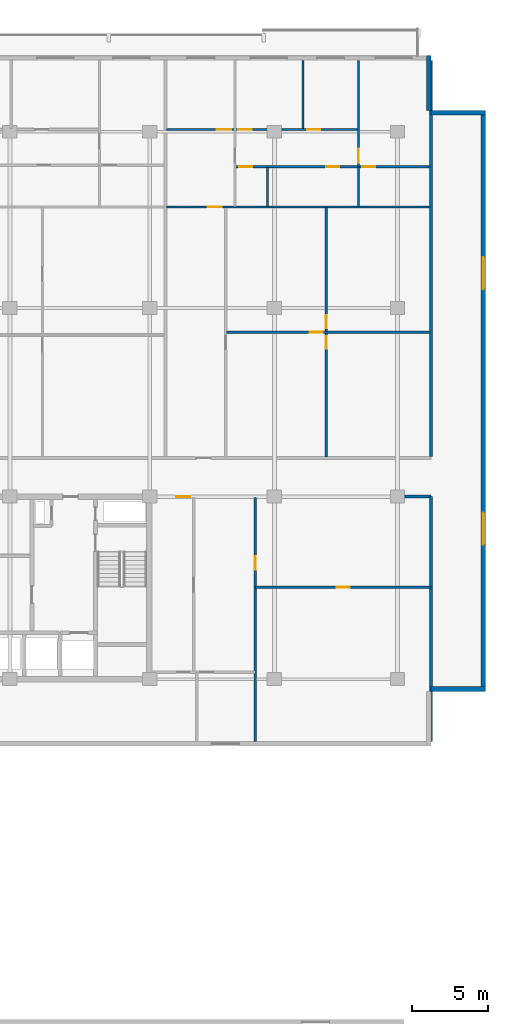
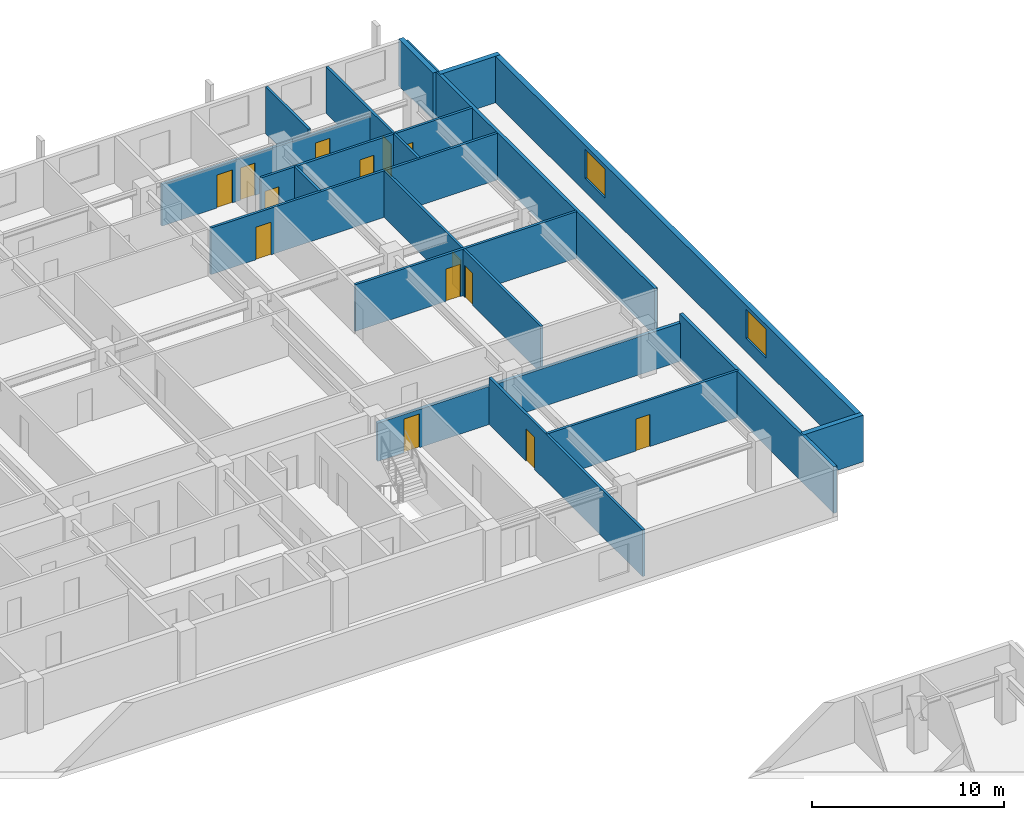
# One storey, part 16 of 22: 18 walls, 14 doors, 2 windows, 16 openings.
"""IFC4 building model written with IfcOpenShell, lengths in metres."""

from ifc_helpers import new_model, si_unit, direction, frame, frame_2d, origin, place, context, subcontext, project, spatial, rectangle, extrude, material, layer, layer_set, type_object, element, fill, save


model = new_model("IFC4")

# Units and contexts
model_context = context("Model", 3, precision=1e-05, world=origin(), true_north=direction((0.0, 1.0)))
body_context = subcontext(model_context, "Body", "Model", "MODEL_VIEW")
ifc_project = project(units=[si_unit("LENGTHUNIT", "METRE"), si_unit("AREAUNIT", "SQUARE_METRE"), si_unit("VOLUMEUNIT", "CUBIC_METRE"), si_unit("PLANEANGLEUNIT", "RADIAN"), si_unit("MASSUNIT", "GRAM", prefix="KILO")], contexts=[model_context])

# Site, building, storey
site_placement = place(None, origin())
site = spatial("IfcSite", under=ifc_project, at=site_placement, CompositionType="ELEMENT")
building_placement = place(site_placement, origin())
building = spatial("IfcBuilding", under=site, at=building_placement, Name="Korimba Cascade Residences", CompositionType="ELEMENT")
storey_placement = place(building_placement, frame((0.0, 0.0, 132.800048828125)))
storey = spatial("IfcBuildingStorey", under=building, at=storey_placement, Name="L38", CompositionType="ELEMENT", Elevation=132.800048828125)

# Wall
ifc_material_1 = material(Name="Precast concrete C40/50", Category="concrete")
ifc_layer_1 = layer(ifc_material_1, 0.300048828125)
ifc_layer_set_1 = layer_set([ifc_layer_1], Name="Precast concrete C40/50")
wall_type_1 = type_object("IfcWallType", Name="EW-STONE-300", PredefinedType="STANDARD", material=ifc_layer_set_1)
wall_1_placement = place(storey_placement, frame((130.60009765625, 54.550048828125, 0.0), z_axis=(0.0, 0.0, 1.0), x_axis=(1.0, 0.0, 0.0)))
element("IfcWall", 1, at=wall_1_placement, inside=storey, type_object=wall_type_1, Name="L38 T1 Perimeter Stone Wall E02", PredefinedType="STANDARD", context=body_context, shape_type="SweptSolid", body=[
    extrude(rectangle(XDim=3.599853515625, YDim=0.300048828125, at=frame_2d((1.7998046875, 0.0))), origin(), (0.0, 0.0, 1.0), 2.969970703125),
])

# Wall, openings, windows
wall_2_placement = place(storey_placement, frame((134.050048828125, 54.39990234375, 0.0), z_axis=(0.0, 0.0, 1.0), x_axis=(0.0, 1.0, 0.0)))
wall_2 = element("IfcWall", 2, at=wall_2_placement, inside=storey, type_object=wall_type_1, Name="L38 T1 Perimeter Stone Wall E03", PredefinedType="STANDARD", context=body_context, shape_type="SweptSolid", body=[
    extrude(rectangle(XDim=38.2001953125, YDim=0.300048828125, at=frame_2d((19.10009765625, 0.0))), origin(), (0.0, 0.0, 1.0), 2.969970703125),
])
opening_1_placement = place(wall_2_placement, frame((9.64599609375, 0.0, 0.85009765625)))
opening_1 = element("IfcOpeningElement", 3, at=opening_1_placement, cuts=wall_2, Name="Opening W-03", PredefinedType="OPENING", context=body_context, shape_type="SweptSolid", body=[
    extrude(rectangle(XDim=2.10009765625, YDim=1.85009765625, at=frame_2d((1.050048828125, 0.925048828125))), frame((0.0, 0.16015625, 0.0), z_axis=(0.0, -1.0, 0.0), x_axis=(1.0, 0.0, 0.0)), (0.0, 0.0, 1.0), 0.320068359375),
])
opening_2_placement = place(wall_2_placement, frame((26.4541015625, 0.0, 0.85009765625)))
opening_2 = element("IfcOpeningElement", 4, at=opening_2_placement, cuts=wall_2, Name="Opening W-03", PredefinedType="OPENING", context=body_context, shape_type="SweptSolid", body=[
    extrude(rectangle(XDim=2.10009765625, YDim=1.85009765625, at=frame_2d((1.050048828125, 0.925048828125))), frame((0.0, 0.16015625, 0.0), z_axis=(0.0, -1.0, 0.0), x_axis=(1.0, 0.0, 0.0)), (0.0, 0.0, 1.0), 0.320068359375),
])
ifc_material_2 = material(Name="Double-Glazed Aluminium Window", Category="aluminium")
window_type = type_object("IfcWindowType", Name="WIN-CRN-2100", PartitioningType="DOUBLE_PANEL_HORIZONTAL", PredefinedType="WINDOW", material=ifc_material_2)
window_1_placement = place(opening_1_placement, origin())
window_1 = element("IfcWindow", 5, at=window_1_placement, inside=storey, type_object=window_type, Name="L38 T1 End View Window 3.1", OverallHeight=1.85009765625, OverallWidth=2.10009765625, PartitioningType="DOUBLE_PANEL_HORIZONTAL", PredefinedType="WINDOW", context=body_context, shape_type="SweptSolid", body=[
    extrude(rectangle(XDim=2.10009765625, YDim=1.85009765625, at=frame_2d((1.050048828125, 0.925048828125))), frame((0.0, 0.030029296875, 0.0), z_axis=(0.0, -1.0, 0.0), x_axis=(1.0, 0.0, 0.0)), (0.0, 0.0, 1.0), 0.06005859375),
])
fill(opening_1, window_1)
window_2_placement = place(opening_2_placement, origin())
window_2 = element("IfcWindow", 6, at=window_2_placement, inside=storey, type_object=window_type, Name="L38 T1 End View Window 3.2", OverallHeight=1.85009765625, OverallWidth=2.10009765625, PartitioningType="DOUBLE_PANEL_HORIZONTAL", PredefinedType="WINDOW", context=body_context, shape_type="SweptSolid", body=[
    extrude(rectangle(XDim=2.10009765625, YDim=1.85009765625, at=frame_2d((1.050048828125, 0.925048828125))), frame((0.0, 0.030029296875, 0.0), z_axis=(0.0, -1.0, 0.0), x_axis=(1.0, 0.0, 0.0)), (0.0, 0.0, 1.0), 0.06005859375),
])
fill(opening_2, window_2)

# Walls
for number, where, z_axis, x_axis, name in (
    (7, (134.199951171875, 92.449951171875, 0.0), (0.0, 0.0, 1.0), (-1.0, 0.0, 0.0), "L38 T1 Perimeter Stone Wall E04"),
    (8, (130.449951171875, 92.60009765625, 0.0), (0.0, 0.0, 1.0), (0.0, 1.0, 0.0), "L38 T1 Perimeter Stone Wall E05"),
):
    element("IfcWall", number, at=place(storey_placement, frame(where, z_axis=z_axis, x_axis=x_axis)), inside=storey, type_object=wall_type_1, Name=name, PredefinedType="STANDARD", context=body_context, shape_type="SweptSolid", body=[
        extrude(rectangle(XDim=3.599853515625, YDim=0.300048828125, at=frame_2d((1.7998046875, 0.0))), origin(), (0.0, 0.0, 1.0), 2.969970703125),
    ])
ifc_layer_2 = layer(ifc_material_1, 0.199951171875)
ifc_layer_set_2 = layer_set([ifc_layer_2], Name="Precast concrete C40/50")
wall_type_2 = type_object("IfcWallType", Name="WAL-IT-200", PredefinedType="PARTITIONING", material=ifc_layer_set_2)
wall_3_placement = place(storey_placement, frame((130.60009765625, 51.10009765625, 0.0), z_axis=(0.0, 0.0, 1.0), x_axis=(0.0, 1.0, 0.0)))
element("IfcWall", 9, at=wall_3_placement, inside=storey, type_object=wall_type_2, Name="L38 Partition Wall WAL-L38-T1-FE-WR", PredefinedType="PARTITIONING", context=body_context, shape_type="SweptSolid", body=[
    extrude(rectangle(XDim=16.099853515625, YDim=0.199951171875, at=frame_2d((8.0498046875, 0.0))), origin(), (0.0, 0.0, 1.0), 2.969970703125),
])

# Wall, opening, door
wall_4_placement = place(storey_placement, frame((112.25, 67.199951171875, 0.0), z_axis=(0.0, 0.0, 1.0), x_axis=(1.0, 0.0, 0.0)))
wall_4 = element("IfcWall", 10, at=wall_4_placement, inside=storey, type_object=wall_type_2, Name="L38 Partition Wall WAL-L38-T1-FE-N", PredefinedType="PARTITIONING", context=body_context, shape_type="SweptSolid", body=[
    extrude(rectangle(XDim=18.35009765625, YDim=0.199951171875, at=frame_2d((9.175048828125, 0.0))), origin(), (0.0, 0.0, 1.0), 2.433349609375),
])
opening_3_placement = place(wall_4_placement, frame((1.580078125, 0.0, 0.0)))
opening_3 = element("IfcOpeningElement", 11, at=opening_3_placement, cuts=wall_4, Name="Opening D-UN1", PredefinedType="OPENING", context=body_context, shape_type="SweptSolid", body=[
    extrude(rectangle(XDim=0.949951171875, YDim=2.14990234375, at=frame_2d((0.47509765625, 1.074951171875))), frame((0.0, 0.10986328125, 0.0), z_axis=(0.0, -1.0, 0.0), x_axis=(1.0, 0.0, 0.0)), (0.0, 0.0, 1.0), 0.219970703125),
])
ifc_material_3 = material(Name="Fire-Rated Hardwood Apartment Entrance Door", Category="wood")
door_type_1 = type_object("IfcDoorType", Name="DR-FD60-950", OperationType="NOTDEFINED", PredefinedType="DOOR", material=ifc_material_3)
door_1_placement = place(opening_3_placement, origin())
door_1 = element("IfcDoor", 12, at=door_1_placement, inside=storey, type_object=door_type_1, Name="L38-T1-FE Entrance Door", OperationType="SINGLE_SWING_LEFT", OverallHeight=2.14990234375, OverallWidth=0.949951171875, PredefinedType="DOOR", context=body_context, shape_type="SweptSolid", body=[
    extrude(rectangle(XDim=0.949951171875, YDim=2.14990234375, at=frame_2d((0.47509765625, 1.074951171875))), frame((0.0, 0.02490234375, 0.0), z_axis=(0.0, -1.0, 0.0), x_axis=(1.0, 0.0, 0.0)), (0.0, 0.0, 1.0), 0.050048828125),
])
fill(opening_3, door_1)

# Wall
wall_5_placement = place(storey_placement, frame((130.60009765625, 69.830078125, 0.0), z_axis=(0.0, 0.0, 1.0), x_axis=(0.0, 1.0, 0.0)))
element("IfcWall", 13, at=wall_5_placement, inside=storey, type_object=wall_type_2, Name="L38 Partition Wall WAL-L38-T1-BNDWR", PredefinedType="PARTITIONING", context=body_context, shape_type="SweptSolid", body=[
    extrude(rectangle(XDim=26.06982421875, YDim=0.199951171875, at=frame_2d((13.034912109375, 0.0))), origin(), (0.0, 0.0, 1.0), 2.969970703125),
])

# Wall, opening, door
ifc_material_4 = material(Name="Insulated Acoustic Stud Partition", Category="gypsum")
ifc_layer_3 = layer(ifc_material_4, 0.14990234375)
ifc_layer_set_3 = layer_set([ifc_layer_3], Name="Insulated Acoustic Stud Partition")
wall_type_3 = type_object("IfcWallType", Name="WAL-PART-150", PredefinedType="PARTITIONING", material=ifc_layer_set_3)
wall_6_placement = place(storey_placement, frame((119.050048828125, 61.25, 0.0), z_axis=(0.0, 0.0, 1.0), x_axis=(1.0, 0.0, 0.0)))
wall_6 = element("IfcWall", 14, at=wall_6_placement, inside=storey, type_object=wall_type_3, Name="L38 Partition Wall WAL-L38-T1-FE-STH", PredefinedType="PARTITIONING", context=body_context, shape_type="SweptSolid", body=[
    extrude(rectangle(XDim=11.550048828125, YDim=0.14990234375, at=frame_2d((5.77490234375, 0.0))), origin(), (0.0, 0.0, 1.0), 2.969970703125),
])
opening_4_placement = place(wall_6_placement, frame((5.35498046875, 0.0, 0.0)))
opening_4 = element("IfcOpeningElement", 15, at=opening_4_placement, cuts=wall_6, Name="Opening D-BT1", PredefinedType="OPENING", context=body_context, shape_type="SweptSolid", body=[
    extrude(rectangle(XDim=0.840087890625, YDim=2.0400390625, at=frame_2d((0.419921875, 1.02001953125))), frame((0.0, 0.0849609375, 0.0), z_axis=(0.0, -1.0, 0.0), x_axis=(1.0, 0.0, 0.0)), (0.0, 0.0, 1.0), 0.169921875),
])
ifc_material_5 = material(Name="Moisture-Resistant Bathroom Timber Door", Category="wood")
door_type_2 = type_object("IfcDoorType", Name="DR-INT-850", OperationType="NOTDEFINED", PredefinedType="DOOR", material=ifc_material_5)
door_2_placement = place(opening_4_placement, origin())
door_2 = element("IfcDoor", 16, at=door_2_placement, inside=storey, type_object=door_type_2, Name="L38-T1-FE Dressing Store Door", OperationType="SINGLE_SWING_RIGHT", OverallHeight=2.0400390625, OverallWidth=0.840087890625, PredefinedType="DOOR", context=body_context, shape_type="SweptSolid", body=[
    extrude(rectangle(XDim=0.840087890625, YDim=2.0400390625, at=frame_2d((0.419921875, 1.02001953125))), frame((0.0, 0.02490234375, 0.0), z_axis=(0.0, -1.0, 0.0), x_axis=(1.0, 0.0, 0.0)), (0.0, 0.0, 1.0), 0.050048828125),
])
fill(opening_4, door_2)

wall_7_placement = place(storey_placement, frame((119.050048828125, 51.10009765625, 0.0), z_axis=(0.0, 0.0, 1.0), x_axis=(0.0, 1.0, 0.0)))
wall_7 = element("IfcWall", 17, at=wall_7_placement, inside=storey, type_object=wall_type_3, Name="L38 Partition Wall WAL-L38-T1-FE-STV", PredefinedType="PARTITIONING", context=body_context, shape_type="SweptSolid", body=[
    extrude(rectangle(XDim=16.0498046875, YDim=0.14990234375, at=frame_2d((8.02490234375, 0.0))), origin(), (0.0, 0.0, 1.0), 2.969970703125),
])
opening_5_placement = place(wall_7_placement, frame((11.300048828125, 0.0, 0.0)))
opening_5 = element("IfcOpeningElement", 18, at=opening_5_placement, cuts=wall_7, Name="Opening D-IN2", PredefinedType="OPENING", context=body_context, shape_type="SweptSolid", body=[
    extrude(rectangle(XDim=0.8798828125, YDim=2.06005859375, at=frame_2d((0.43994140625, 1.030029296875))), frame((0.0, 0.0849609375, 0.0), z_axis=(0.0, -1.0, 0.0), x_axis=(1.0, 0.0, 0.0)), (0.0, 0.0, 1.0), 0.169921875),
])
ifc_material_6 = material(Name="Acoustic Timber Bedroom Door", Category="wood")
door_type_3 = type_object("IfcDoorType", Name="DR-INT-880", OperationType="NOTDEFINED", PredefinedType="DOOR", material=ifc_material_6)
door_3_placement = place(opening_5_placement, origin())
door_3 = element("IfcDoor", 19, at=door_3_placement, inside=storey, type_object=door_type_3, Name="L38-T1-FE Study Door", OperationType="SINGLE_SWING_LEFT", OverallHeight=2.06005859375, OverallWidth=0.8798828125, PredefinedType="DOOR", context=body_context, shape_type="SweptSolid", body=[
    extrude(rectangle(XDim=0.8798828125, YDim=2.06005859375, at=frame_2d((0.43994140625, 1.030029296875))), frame((0.0, 0.02490234375, 0.0), z_axis=(0.0, -1.0, 0.0), x_axis=(1.0, 0.0, 0.0)), (0.0, 0.0, 1.0), 0.050048828125),
])
fill(opening_5, door_3)

# Wall, openings, doors
wall_8_placement = place(storey_placement, frame((123.717529296875, 69.81005859375, 0.0), z_axis=(0.0, 0.0, 1.0), x_axis=(0.0, 1.0, 0.0)))
wall_8 = element("IfcWall", 20, at=wall_8_placement, inside=storey, type_object=wall_type_3, Name="L38 Partition Wall WAL-L38-T1-U04-FMV", PredefinedType="PARTITIONING", context=body_context, shape_type="SweptSolid", body=[
    extrude(rectangle(XDim=16.39990234375, YDim=0.14990234375, at=frame_2d((8.199951171875, 0.0))), origin(), (0.0, 0.0, 1.0), 2.969970703125),
])
opening_6_placement = place(wall_8_placement, frame((7.110107421875, 0.0, 0.0)))
opening_6 = element("IfcOpeningElement", 21, at=opening_6_placement, cuts=wall_8, Name="Opening D-BT1", PredefinedType="OPENING", context=body_context, shape_type="SweptSolid", body=[
    extrude(rectangle(XDim=0.840087890625, YDim=2.0400390625, at=frame_2d((0.419921875, 1.02001953125))), frame((0.0, 0.0849609375, 0.0), z_axis=(0.0, -1.0, 0.0), x_axis=(1.0, 0.0, 0.0)), (0.0, 0.0, 1.0), 0.169921875),
])
opening_7_placement = place(wall_8_placement, frame((8.449951171875, 0.0, 0.0)))
opening_7 = element("IfcOpeningElement", 22, at=opening_7_placement, cuts=wall_8, Name="Opening D-IN2", PredefinedType="OPENING", context=body_context, shape_type="SweptSolid", body=[
    extrude(rectangle(XDim=0.8798828125, YDim=2.06005859375, at=frame_2d((0.43994140625, 1.030029296875))), frame((0.0, 0.0849609375, 0.0), z_axis=(0.0, -1.0, 0.0), x_axis=(1.0, 0.0, 0.0)), (0.0, 0.0, 1.0), 0.169921875),
])
door_4_placement = place(opening_6_placement, origin())
door_4 = element("IfcDoor", 23, at=door_4_placement, inside=storey, type_object=door_type_2, Name="L38-T1-U04 Wardrobe Door", OperationType="SINGLE_SWING_LEFT", OverallHeight=2.0400390625, OverallWidth=0.840087890625, PredefinedType="DOOR", context=body_context, shape_type="SweptSolid", body=[
    extrude(rectangle(XDim=0.840087890625, YDim=2.0400390625, at=frame_2d((0.419921875, 1.02001953125))), frame((0.0, 0.02490234375, 0.0), z_axis=(0.0, -1.0, 0.0), x_axis=(1.0, 0.0, 0.0)), (0.0, 0.0, 1.0), 0.050048828125),
])
fill(opening_6, door_4)
door_5_placement = place(opening_7_placement, origin())
door_5 = element("IfcDoor", 24, at=door_5_placement, inside=storey, type_object=door_type_3, Name="L38-T1-U04 Music Lounge Door", OperationType="SINGLE_SWING_RIGHT", OverallHeight=2.06005859375, OverallWidth=0.8798828125, PredefinedType="DOOR", context=body_context, shape_type="SweptSolid", body=[
    extrude(rectangle(XDim=0.8798828125, YDim=2.06005859375, at=frame_2d((0.43994140625, 1.030029296875))), frame((0.0, 0.02490234375, 0.0), z_axis=(0.0, -1.0, 0.0), x_axis=(1.0, 0.0, 0.0)), (0.0, 0.0, 1.0), 0.050048828125),
])
fill(opening_7, door_5)

# Wall, opening, door
wall_9_placement = place(storey_placement, frame((117.155029296875, 78.010009765625, 0.0), z_axis=(0.0, 0.0, 1.0), x_axis=(1.0, 0.0, 0.0)))
wall_9 = element("IfcWall", 25, at=wall_9_placement, inside=storey, type_object=wall_type_3, Name="L38 Partition Wall WAL-L38-T1-U04-FMH", PredefinedType="PARTITIONING", context=body_context, shape_type="SweptSolid", body=[
    extrude(rectangle(XDim=13.364990234375, YDim=0.14990234375, at=frame_2d((6.6826171875, 0.0))), origin(), (0.0, 0.0, 1.0), 2.969970703125),
])
opening_8_placement = place(wall_9_placement, frame((5.46240234375, 0.0, 0.0)))
opening_8 = element("IfcOpeningElement", 26, at=opening_8_placement, cuts=wall_9, Name="Opening D-IN2", PredefinedType="OPENING", context=body_context, shape_type="SweptSolid", body=[
    extrude(rectangle(XDim=0.8798828125, YDim=2.06005859375, at=frame_2d((0.43994140625, 1.030029296875))), frame((0.0, 0.0849609375, 0.0), z_axis=(0.0, -1.0, 0.0), x_axis=(1.0, 0.0, 0.0)), (0.0, 0.0, 1.0), 0.169921875),
])
door_6_placement = place(opening_8_placement, origin())
door_6 = element("IfcDoor", 27, at=door_6_placement, inside=storey, type_object=door_type_3, Name="L38-T1-U04 Library Salon Door", OperationType="SINGLE_SWING_LEFT", OverallHeight=2.06005859375, OverallWidth=0.8798828125, PredefinedType="DOOR", context=body_context, shape_type="SweptSolid", body=[
    extrude(rectangle(XDim=0.8798828125, YDim=2.06005859375, at=frame_2d((0.43994140625, 1.030029296875))), frame((0.0, 0.02490234375, 0.0), z_axis=(0.0, -1.0, 0.0), x_axis=(1.0, 0.0, 0.0)), (0.0, 0.0, 1.0), 0.050048828125),
])
fill(opening_8, door_6)

# Walls
wall_10_placement = place(storey_placement, frame((119.85498046875, 86.2900390625, 0.0), z_axis=(0.0, 0.0, 1.0), x_axis=(0.0, 1.0, 0.0)))
element("IfcWall", 28, at=wall_10_placement, inside=storey, type_object=wall_type_3, Name="L38 Partition Wall WAL-L38-T1-U04-VDRS", PredefinedType="PARTITIONING", context=body_context, shape_type="SweptSolid", body=[
    extrude(rectangle(XDim=2.580078125, YDim=0.14990234375, at=frame_2d((1.2900390625, 0.0))), origin(), (0.0, 0.0, 1.0), 2.969970703125),
])
wall_11_placement = place(storey_placement, frame((122.179931640625, 91.429931640625, 0.0), z_axis=(0.0, 0.0, 1.0), x_axis=(0.0, 1.0, 0.0)))
element("IfcWall", 29, at=wall_11_placement, inside=storey, type_object=wall_type_3, Name="L38 Partition Wall WAL-L38-T1-U04-VSTD", PredefinedType="PARTITIONING", context=body_context, shape_type="SweptSolid", body=[
    extrude(rectangle(XDim=4.469970703125, YDim=0.14990234375, at=frame_2d((2.23486328125, 0.0))), origin(), (0.0, 0.0, 1.0), 2.969970703125),
])
wall_12_placement = place(storey_placement, frame((125.830078125, 86.2900390625, 0.0), z_axis=(0.0, 0.0, 1.0), x_axis=(0.0, 1.0, 0.0)))
element("IfcWall", 30, at=wall_12_placement, inside=storey, type_object=wall_type_3, Name="L38 Partition Wall WAL-L38-T1-U04-VBATH", PredefinedType="PARTITIONING", context=body_context, shape_type="SweptSolid", body=[
    extrude(rectangle(XDim=2.580078125, YDim=0.14990234375, at=frame_2d((1.2900390625, 0.0))), origin(), (0.0, 0.0, 1.0), 2.969970703125),
])

# Wall, opening, door
wall_13_placement = place(storey_placement, frame((125.830078125, 88.909912109375, 0.0), z_axis=(0.0, 0.0, 1.0), x_axis=(0.0, 1.0, 0.0)))
wall_13 = element("IfcWall", 31, at=wall_13_placement, inside=storey, type_object=wall_type_3, Name="L38 Partition Wall WAL-L38-T1-U04-V2FULL", PredefinedType="PARTITIONING", context=body_context, shape_type="SweptSolid", body=[
    extrude(rectangle(XDim=6.989990234375, YDim=0.14990234375, at=frame_2d((3.4951171875, 0.0))), origin(), (0.0, 0.0, 1.0), 2.969970703125),
])
opening_9_placement = place(wall_13_placement, frame((0.260009765625, 0.0, 0.0)))
opening_9 = element("IfcOpeningElement", 32, at=opening_9_placement, cuts=wall_13, Name="Opening D-IN1", PredefinedType="OPENING", context=body_context, shape_type="SweptSolid", body=[
    extrude(rectangle(XDim=0.919921875, YDim=2.080078125, at=frame_2d((0.4599609375, 1.0400390625))), frame((0.0, 0.0849609375, 0.0), z_axis=(0.0, -1.0, 0.0), x_axis=(1.0, 0.0, 0.0)), (0.0, 0.0, 1.0), 0.169921875),
])
ifc_material_7 = material(Name="Acoustic Timber Living Door", Category="wood")
door_type_4 = type_object("IfcDoorType", Name="DR-INT-920", OperationType="NOTDEFINED", PredefinedType="DOOR", material=ifc_material_7)
door_7_placement = place(opening_9_placement, origin())
door_7 = element("IfcDoor", 33, at=door_7_placement, inside=storey, type_object=door_type_4, Name="L38-T1-U04 Master Bedroom Door", OperationType="SINGLE_SWING_RIGHT", OverallHeight=2.080078125, OverallWidth=0.919921875, PredefinedType="DOOR", context=body_context, shape_type="SweptSolid", body=[
    extrude(rectangle(XDim=0.919921875, YDim=2.080078125, at=frame_2d((0.4599609375, 1.0400390625))), frame((0.0, 0.02490234375, 0.0), z_axis=(0.0, -1.0, 0.0), x_axis=(1.0, 0.0, 0.0)), (0.0, 0.0, 1.0), 0.050048828125),
])
fill(opening_9, door_7)

# Wall, openings, doors
wall_14_placement = place(storey_placement, frame((117.7451171875, 88.889892578125, 0.0), z_axis=(0.0, 0.0, 1.0), x_axis=(1.0, 0.0, 0.0)))
wall_14 = element("IfcWall", 34, at=wall_14_placement, inside=storey, type_object=wall_type_3, Name="L38 Partition Wall WAL-L38-T1-U04-HWALL", PredefinedType="PARTITIONING", context=body_context, shape_type="SweptSolid", body=[
    extrude(rectangle(XDim=12.77490234375, YDim=0.14990234375, at=frame_2d((6.387451171875, 0.0))), origin(), (0.0, 0.0, 1.0), 2.969970703125),
])
opening_10_placement = place(wall_14_placement, frame((0.25, 0.0, 0.0)))
opening_10 = element("IfcOpeningElement", 35, at=opening_10_placement, cuts=wall_14, Name="Opening D-BT1", PredefinedType="OPENING", context=body_context, shape_type="SweptSolid", body=[
    extrude(rectangle(XDim=0.840087890625, YDim=2.0400390625, at=frame_2d((0.419921875, 1.02001953125))), frame((0.0, 0.0849609375, 0.0), z_axis=(0.0, -1.0, 0.0), x_axis=(1.0, 0.0, 0.0)), (0.0, 0.0, 1.0), 0.169921875),
])
opening_11_placement = place(wall_14_placement, frame((5.967529296875, 0.0, 0.0)))
opening_11 = element("IfcOpeningElement", 36, at=opening_11_placement, cuts=wall_14, Name="Opening D-BT1", PredefinedType="OPENING", context=body_context, shape_type="SweptSolid", body=[
    extrude(rectangle(XDim=0.840087890625, YDim=2.0400390625, at=frame_2d((0.419921875, 1.02001953125))), frame((0.0, 0.0849609375, 0.0), z_axis=(0.0, -1.0, 0.0), x_axis=(1.0, 0.0, 0.0)), (0.0, 0.0, 1.0), 0.169921875),
])
opening_12_placement = place(wall_14_placement, frame((8.3349609375, 0.0, 0.0)))
opening_12 = element("IfcOpeningElement", 37, at=opening_12_placement, cuts=wall_14, Name="Opening D-BT1", PredefinedType="OPENING", context=body_context, shape_type="SweptSolid", body=[
    extrude(rectangle(XDim=0.840087890625, YDim=2.0400390625, at=frame_2d((0.419921875, 1.02001953125))), frame((0.0, 0.0849609375, 0.0), z_axis=(0.0, -1.0, 0.0), x_axis=(1.0, 0.0, 0.0)), (0.0, 0.0, 1.0), 0.169921875),
])
door_8_placement = place(opening_10_placement, origin())
door_8 = element("IfcDoor", 38, at=door_8_placement, inside=storey, type_object=door_type_2, Name="L38-T1-U04 Family Bathroom Door", OperationType="SINGLE_SWING_LEFT", OverallHeight=2.0400390625, OverallWidth=0.840087890625, PredefinedType="DOOR", context=body_context, shape_type="SweptSolid", body=[
    extrude(rectangle(XDim=0.840087890625, YDim=2.0400390625, at=frame_2d((0.419921875, 1.02001953125))), frame((0.0, 0.02490234375, 0.0), z_axis=(0.0, -1.0, 0.0), x_axis=(1.0, 0.0, 0.0)), (0.0, 0.0, 1.0), 0.050048828125),
])
fill(opening_10, door_8)
door_9_placement = place(opening_11_placement, origin())
door_9 = element("IfcDoor", 39, at=door_9_placement, inside=storey, type_object=door_type_2, Name="L38-T1-U04 Dressing Room Door", OperationType="SINGLE_SWING_RIGHT", OverallHeight=2.0400390625, OverallWidth=0.840087890625, PredefinedType="DOOR", context=body_context, shape_type="SweptSolid", body=[
    extrude(rectangle(XDim=0.840087890625, YDim=2.0400390625, at=frame_2d((0.419921875, 1.02001953125))), frame((0.0, 0.02490234375, 0.0), z_axis=(0.0, -1.0, 0.0), x_axis=(1.0, 0.0, 0.0)), (0.0, 0.0, 1.0), 0.050048828125),
])
fill(opening_11, door_9)
door_10_placement = place(opening_12_placement, origin())
door_10 = element("IfcDoor", 40, at=door_10_placement, inside=storey, type_object=door_type_2, Name="L38-T1-U04 En-Suite Door", OperationType="SINGLE_SWING_LEFT", OverallHeight=2.0400390625, OverallWidth=0.840087890625, PredefinedType="DOOR", context=body_context, shape_type="SweptSolid", body=[
    extrude(rectangle(XDim=0.840087890625, YDim=2.0400390625, at=frame_2d((0.419921875, 1.02001953125))), frame((0.0, 0.02490234375, 0.0), z_axis=(0.0, -1.0, 0.0), x_axis=(1.0, 0.0, 0.0)), (0.0, 0.0, 1.0), 0.050048828125),
])
fill(opening_12, door_10)

# Wall, opening, door
wall_15_placement = place(storey_placement, frame((113.205078125, 86.25, 0.0), z_axis=(0.0, 0.0, 1.0), x_axis=(1.0, 0.0, 0.0)))
wall_15 = element("IfcWall", 41, at=wall_15_placement, inside=storey, type_object=wall_type_3, Name="L38 Partition Wall WAL-L38-T1-U04-MW", PredefinedType="PARTITIONING", context=body_context, shape_type="SweptSolid", body=[
    extrude(rectangle(XDim=17.31494140625, YDim=0.14990234375, at=frame_2d((8.657470703125, 0.0))), origin(), (0.0, 0.0, 1.0), 2.969970703125),
])
opening_13_placement = place(wall_15_placement, frame((2.719970703125, 0.0, 0.0)))
opening_13 = element("IfcOpeningElement", 42, at=opening_13_placement, cuts=wall_15, Name="Opening D-IN1", PredefinedType="OPENING", context=body_context, shape_type="SweptSolid", body=[
    extrude(rectangle(XDim=0.919921875, YDim=2.080078125, at=frame_2d((0.4599609375, 1.0400390625))), frame((0.0, 0.0849609375, 0.0), z_axis=(0.0, -1.0, 0.0), x_axis=(1.0, 0.0, 0.0)), (0.0, 0.0, 1.0), 0.169921875),
])
door_11_placement = place(opening_13_placement, origin())
door_11 = element("IfcDoor", 43, at=door_11_placement, inside=storey, type_object=door_type_4, Name="L38-T1-U04 Kitchen Door", OperationType="SINGLE_SWING_RIGHT", OverallHeight=2.080078125, OverallWidth=0.919921875, PredefinedType="DOOR", context=body_context, shape_type="SweptSolid", body=[
    extrude(rectangle(XDim=0.919921875, YDim=2.080078125, at=frame_2d((0.4599609375, 1.0400390625))), frame((0.0, 0.02490234375, 0.0), z_axis=(0.0, -1.0, 0.0), x_axis=(1.0, 0.0, 0.0)), (0.0, 0.0, 1.0), 0.050048828125),
])
fill(opening_13, door_11)

# Wall, openings, doors
wall_16_placement = place(storey_placement, frame((113.205078125, 91.35009765625, 0.0), z_axis=(0.0, 0.0, 1.0), x_axis=(1.0, 0.0, 0.0)))
wall_16 = element("IfcWall", 44, at=wall_16_placement, inside=storey, type_object=wall_type_3, Name="L38 Partition Wall WAL-L38-T1-U04-HZ", PredefinedType="PARTITIONING", context=body_context, shape_type="SweptSolid", body=[
    extrude(rectangle(XDim=12.625, YDim=0.14990234375, at=frame_2d((6.3125, 0.0))), origin(), (0.0, 0.0, 1.0), 2.663330078125),
])
opening_14_placement = place(wall_16_placement, frame((3.31005859375, 0.0, 0.0)))
opening_14 = element("IfcOpeningElement", 45, at=opening_14_placement, cuts=wall_16, Name="Opening D-IN0", PredefinedType="OPENING", context=body_context, shape_type="SweptSolid", body=[
    extrude(rectangle(XDim=0.93994140625, YDim=2.10009765625, at=frame_2d((0.469970703125, 1.050048828125))), frame((0.0, 0.0849609375, 0.0), z_axis=(0.0, -1.0, 0.0), x_axis=(1.0, 0.0, 0.0)), (0.0, 0.0, 1.0), 0.169921875),
])
opening_15_placement = place(wall_16_placement, frame((4.719970703125, 0.0, 0.0)))
opening_15 = element("IfcOpeningElement", 46, at=opening_15_placement, cuts=wall_16, Name="Opening D-IN2", PredefinedType="OPENING", context=body_context, shape_type="SweptSolid", body=[
    extrude(rectangle(XDim=0.8798828125, YDim=2.06005859375, at=frame_2d((0.43994140625, 1.030029296875))), frame((0.0, 0.0849609375, 0.0), z_axis=(0.0, -1.0, 0.0), x_axis=(1.0, 0.0, 0.0)), (0.0, 0.0, 1.0), 0.169921875),
])
opening_16_placement = place(wall_16_placement, frame((9.24169921875, 0.0, 0.0)))
opening_16 = element("IfcOpeningElement", 47, at=opening_16_placement, cuts=wall_16, Name="Opening D-IN2", PredefinedType="OPENING", context=body_context, shape_type="SweptSolid", body=[
    extrude(rectangle(XDim=0.8798828125, YDim=2.06005859375, at=frame_2d((0.43994140625, 1.030029296875))), frame((0.0, 0.0849609375, 0.0), z_axis=(0.0, -1.0, 0.0), x_axis=(1.0, 0.0, 0.0)), (0.0, 0.0, 1.0), 0.169921875),
])
door_12_placement = place(opening_15_placement, origin())
door_12 = element("IfcDoor", 48, at=door_12_placement, inside=storey, type_object=door_type_3, Name="L38-T1-U04 Bedroom 2 Door", OperationType="SINGLE_SWING_RIGHT", OverallHeight=2.06005859375, OverallWidth=0.8798828125, PredefinedType="DOOR", context=body_context, shape_type="SweptSolid", body=[
    extrude(rectangle(XDim=0.8798828125, YDim=2.06005859375, at=frame_2d((0.43994140625, 1.030029296875))), frame((0.0, 0.02490234375, 0.0), z_axis=(0.0, -1.0, 0.0), x_axis=(1.0, 0.0, 0.0)), (0.0, 0.0, 1.0), 0.050048828125),
])
fill(opening_15, door_12)
door_13_placement = place(opening_16_placement, origin())
door_13 = element("IfcDoor", 49, at=door_13_placement, inside=storey, type_object=door_type_3, Name="L38-T1-U04 Study Door", OperationType="SINGLE_SWING_LEFT", OverallHeight=2.06005859375, OverallWidth=0.8798828125, PredefinedType="DOOR", context=body_context, shape_type="SweptSolid", body=[
    extrude(rectangle(XDim=0.8798828125, YDim=2.06005859375, at=frame_2d((0.43994140625, 1.030029296875))), frame((0.0, 0.02490234375, 0.0), z_axis=(0.0, -1.0, 0.0), x_axis=(1.0, 0.0, 0.0)), (0.0, 0.0, 1.0), 0.050048828125),
])
fill(opening_16, door_13)
ifc_material_8 = material(Name="Acoustic Timber Living Archway Door", Category="wood")
door_type_5 = type_object("IfcDoorType", Name="DR-INT-950", OperationType="NOTDEFINED", PredefinedType="DOOR", material=ifc_material_8)
door_14_placement = place(opening_14_placement, origin())
door_14 = element("IfcDoor", 50, at=door_14_placement, inside=storey, type_object=door_type_5, Name="L38-T1-U04 Living Room Door", OperationType="SINGLE_SWING_LEFT", OverallHeight=2.10009765625, OverallWidth=0.93994140625, PredefinedType="DOOR", context=body_context, shape_type="SweptSolid", body=[
    extrude(rectangle(XDim=0.93994140625, YDim=2.10009765625, at=frame_2d((0.469970703125, 1.050048828125))), frame((0.0, 0.02490234375, 0.0), z_axis=(0.0, -1.0, 0.0), x_axis=(1.0, 0.0, 0.0)), (0.0, 0.0, 1.0), 0.050048828125),
])
fill(opening_14, door_14)

save(model, "model.ifc")
